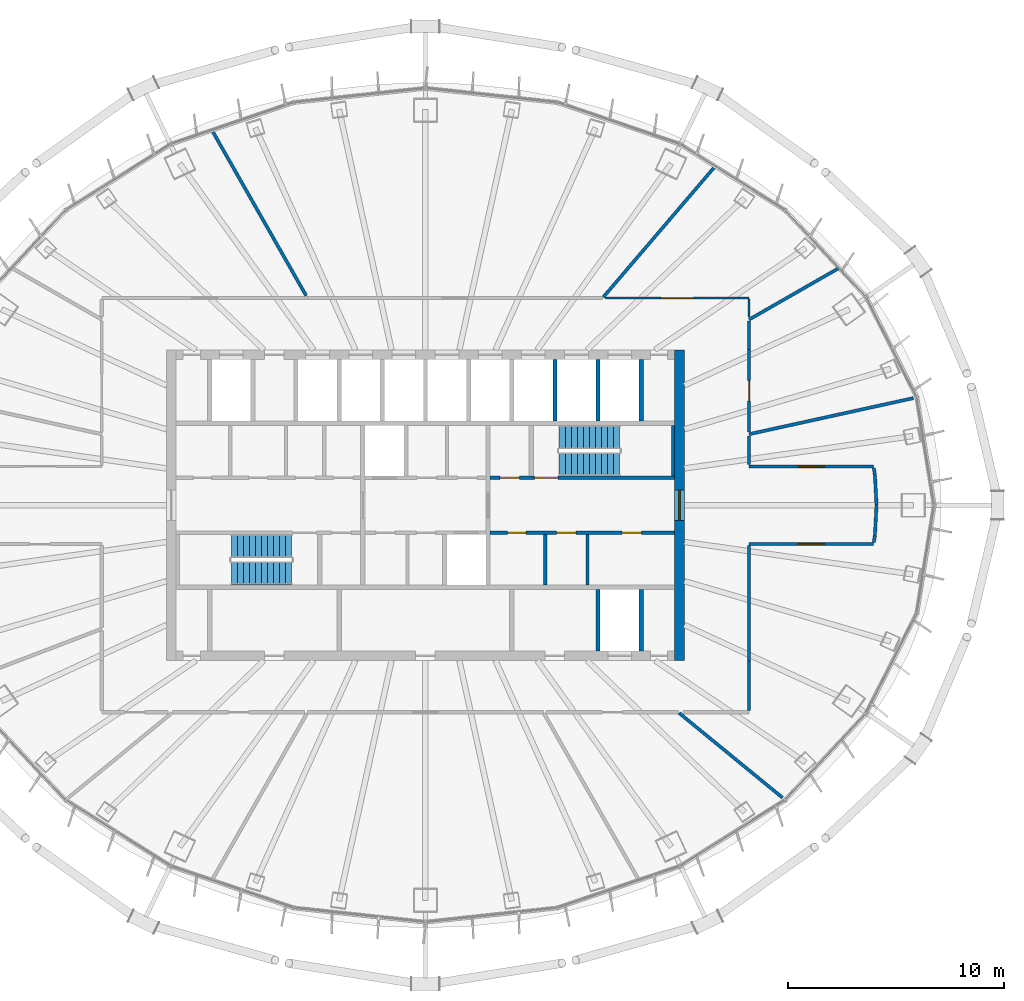
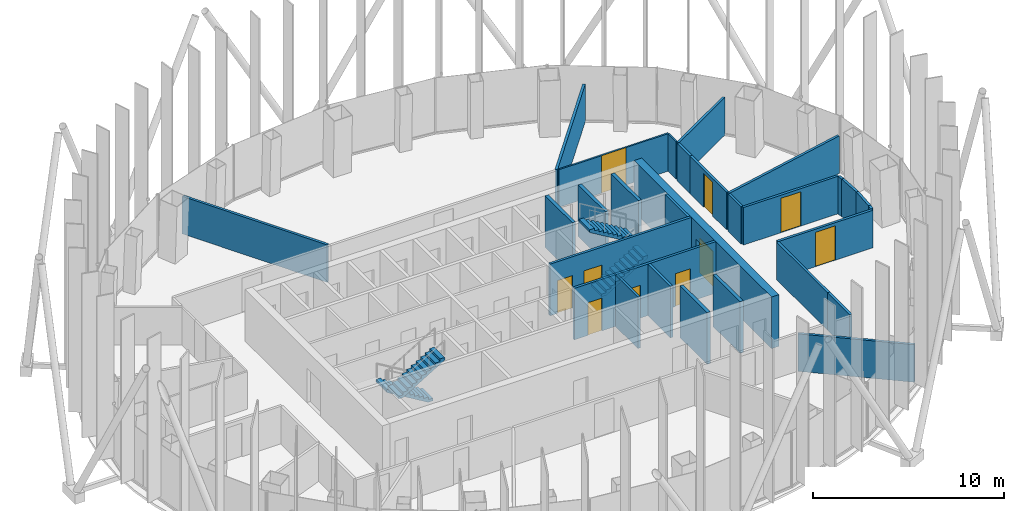
# One storey, part 11 of 19: 29 walls, 10 doors, 4 stair flights, 10 openings, 2 elements without a shape of their own.
"""IFC4 building model written with IfcOpenShell, lengths in metres."""

from ifc_helpers import new_model, si_unit, direction, frame, frame_2d, origin, place, context, subcontext, project, spatial, polyline, rectangle, outline, extrude, material, layer, layer_set, type_object, element, fill, aggregate, save


model = new_model("IFC4")

# Units and contexts
model_context = context("Model", 3, precision=1e-05, world=origin(), true_north=direction((0.0, 1.0)))
body_context = subcontext(model_context, "Body", "Model", "MODEL_VIEW")
ifc_project = project(units=[si_unit("LENGTHUNIT", "METRE"), si_unit("AREAUNIT", "SQUARE_METRE"), si_unit("VOLUMEUNIT", "CUBIC_METRE"), si_unit("PLANEANGLEUNIT", "RADIAN"), si_unit("MASSUNIT", "GRAM", prefix="KILO")], contexts=[model_context])

# Site, building, storey
site_placement = place(None, origin())
site = spatial("IfcSite", under=ifc_project, at=site_placement, CompositionType="ELEMENT")
building_placement = place(site_placement, origin())
building = spatial("IfcBuilding", under=site, at=building_placement, Name="Siaravel Broadcast Tower", CompositionType="ELEMENT")
storey_placement = place(building_placement, frame((0.0, 0.0, 168.199951171875)))
storey = spatial("IfcBuildingStorey", under=building, at=storey_placement, Name="L40", CompositionType="ELEMENT", Elevation=168.199951171875)

# Walls
ifc_material_1 = material(Name="Concrete blockwork", Category="masonry")
ifc_layer_1 = layer(ifc_material_1, 0.14990234375)
ifc_layer_set_1 = layer_set([ifc_layer_1], Name="Concrete blockwork")
wall_type_1 = type_object("IfcWallType", Name="Core partition 150", PredefinedType="PARTITIONING", material=ifc_layer_set_1)
for number, where, z_axis, x_axis, name in (
    (1, (5.550048828125, -3.699951171875, 0.0), (0.0, 0.0, 1.0), (0.0, 1.0, 0.0), "L40 core partition PSE0"),
    (2, (7.514892578125, -3.699951171875, 0.0), (0.0, 0.0, 1.0), (0.0, 1.0, 0.0), "L40 core partition PSE1"),
):
    element("IfcWall", number, at=place(storey_placement, frame(where, z_axis=z_axis, x_axis=x_axis)), inside=storey, type_object=wall_type_1, Name=name, PredefinedType="PARTITIONING", context=body_context, shape_type="SweptSolid", body=[
        extrude(rectangle(XDim=2.349853515625, YDim=0.14990234375, at=frame_2d((1.1748046875, 0.0))), origin(), (0.0, 0.0, 1.0), 3.300048828125),
    ])

# Wall, opening, door
ifc_material_2 = material(Name="Concrete C60/75", Category="concrete")
ifc_layer_2 = layer(ifc_material_2, 0.449951171875)
ifc_layer_set_2 = layer_set([ifc_layer_2], Name="Concrete C60/75")
wall_type_2 = type_object("IfcWallType", Name="Core wall 450", PredefinedType="SHEAR", material=ifc_layer_set_2)
wall_1_placement = place(storey_placement, frame((11.77490234375, -7.199951171875, 0.0), z_axis=(0.0, 0.0, 1.0), x_axis=(0.0, 1.0, 0.0)))
wall_1 = element("IfcWall", 3, at=wall_1_placement, inside=storey, type_object=wall_type_2, Name="L40 core wall OE", PredefinedType="SHEAR", context=body_context, shape_type="SweptSolid", body=[
    extrude(rectangle(XDim=14.39990234375, YDim=0.449951171875, at=frame_2d((7.199951171875, 0.0))), origin(), (0.0, 0.0, 1.0), 3.300048828125),
])
opening_1_placement = place(wall_1_placement, frame((6.5, 0.0, 0.0)))
opening_1 = element("IfcOpeningElement", 4, at=opening_1_placement, cuts=wall_1, Name="Opening L40-DX-E", PredefinedType="OPENING", context=body_context, shape_type="SweptSolid", body=[
    extrude(rectangle(XDim=1.39990234375, YDim=2.199951171875, at=frame_2d((0.699951171875, 1.10009765625))), frame((0.0, 0.23486328125, 0.0), z_axis=(0.0, -1.0, 0.0), x_axis=(1.0, 0.0, 0.0)), (0.0, 0.0, 1.0), 0.469970703125),
])
ifc_material_3 = material(Name="Steel", Category="steel")
door_type_1 = type_object("IfcDoorType", Name="Core exit door 1400", OperationType="DOUBLE_DOOR_SINGLE_SWING", PredefinedType="DOOR", material=ifc_material_3)
door_1_placement = place(opening_1_placement, origin())
door_1 = element("IfcDoor", 5, at=door_1_placement, inside=storey, type_object=door_type_1, Name="L40 door DX-E", OperationType="DOUBLE_DOOR_SINGLE_SWING", OverallHeight=2.199951171875, OverallWidth=1.39990234375, PredefinedType="DOOR", context=body_context, shape_type="SweptSolid", body=[
    extrude(rectangle(XDim=1.39990234375, YDim=2.199951171875, at=frame_2d((0.699951171875, 1.10009765625))), frame((0.0, 0.02490234375, 0.0), z_axis=(0.0, -1.0, 0.0), x_axis=(1.0, 0.0, 0.0)), (0.0, 0.0, 1.0), 0.050048828125),
])
fill(opening_1, door_1)

# Wall, openings, doors
ifc_material_4 = material(Name="Gypsum board partition", Category="gypsum")
ifc_layer_3 = layer(ifc_material_4, 0.14990234375)
ifc_layer_set_3 = layer_set([ifc_layer_3], Name="Gypsum board partition")
wall_type_3 = type_object("IfcWallType", Name="Corridor wall 150", PredefinedType="PARTITIONING", material=ifc_layer_set_3)
wall_2_placement = place(storey_placement, frame((3.0, -1.27490234375, 0.0), z_axis=(0.0, 0.0, 1.0), x_axis=(1.0, 0.0, 0.0)))
wall_2 = element("IfcWall", 6, at=wall_2_placement, inside=storey, type_object=wall_type_3, Name="L40 core partition CSE", PredefinedType="PARTITIONING", context=body_context, shape_type="SweptSolid", body=[
    extrude(rectangle(XDim=8.550048828125, YDim=0.14990234375, at=frame_2d((4.27490234375, 0.0))), origin(), (0.0, 0.0, 1.0), 3.300048828125),
])
opening_2_placement = place(wall_2_placement, frame((0.8125, 0.0, 0.0)))
opening_2 = element("IfcOpeningElement", 7, at=opening_2_placement, cuts=wall_2, Name="Opening L40-DSE0", PredefinedType="OPENING", context=body_context, shape_type="SweptSolid", body=[
    extrude(rectangle(XDim=0.85009765625, YDim=2.10009765625, at=frame_2d((0.425048828125, 1.050048828125))), frame((0.0, 0.0849609375, 0.0), z_axis=(0.0, -1.0, 0.0), x_axis=(1.0, 0.0, 0.0)), (0.0, 0.0, 1.0), 0.169921875),
])
opening_3_placement = place(wall_2_placement, frame((3.08251953125, 0.0, 0.0)))
opening_3 = element("IfcOpeningElement", 8, at=opening_3_placement, cuts=wall_2, Name="Opening L40-DSE1", PredefinedType="OPENING", context=body_context, shape_type="SweptSolid", body=[
    extrude(rectangle(XDim=0.89990234375, YDim=2.10009765625, at=frame_2d((0.449951171875, 1.050048828125))), frame((0.0, 0.0849609375, 0.0), z_axis=(0.0, -1.0, 0.0), x_axis=(1.0, 0.0, 0.0)), (0.0, 0.0, 1.0), 0.169921875),
])
opening_4_placement = place(wall_2_placement, frame((6.1201171875, 0.0, 0.0)))
opening_4 = element("IfcOpeningElement", 9, at=opening_4_placement, cuts=wall_2, Name="Opening L40-DSE2", PredefinedType="OPENING", context=body_context, shape_type="SweptSolid", body=[
    extrude(rectangle(XDim=0.89990234375, YDim=2.10009765625, at=frame_2d((0.449951171875, 1.050048828125))), frame((0.0, 0.0849609375, 0.0), z_axis=(0.0, -1.0, 0.0), x_axis=(1.0, 0.0, 0.0)), (0.0, 0.0, 1.0), 0.169921875),
])
ifc_material_5 = material(Name="Timber veneer", Category="wood")
door_type_2 = type_object("IfcDoorType", Name="Core room door 900", OperationType="SINGLE_SWING_LEFT", PredefinedType="DOOR", material=ifc_material_5)
door_2_placement = place(opening_3_placement, origin())
door_2 = element("IfcDoor", 10, at=door_2_placement, inside=storey, type_object=door_type_2, Name="L40 door DSE1", OperationType="SINGLE_SWING_LEFT", OverallHeight=2.10009765625, OverallWidth=0.89990234375, PredefinedType="DOOR", context=body_context, shape_type="SweptSolid", body=[
    extrude(rectangle(XDim=0.89990234375, YDim=2.10009765625, at=frame_2d((0.449951171875, 1.050048828125))), frame((0.0, 0.02490234375, 0.0), z_axis=(0.0, -1.0, 0.0), x_axis=(1.0, 0.0, 0.0)), (0.0, 0.0, 1.0), 0.050048828125),
])
fill(opening_3, door_2)
door_3_placement = place(opening_4_placement, origin())
door_3 = element("IfcDoor", 11, at=door_3_placement, inside=storey, type_object=door_type_2, Name="L40 door DSE2", OperationType="SINGLE_SWING_LEFT", OverallHeight=2.10009765625, OverallWidth=0.89990234375, PredefinedType="DOOR", context=body_context, shape_type="SweptSolid", body=[
    extrude(rectangle(XDim=0.89990234375, YDim=2.10009765625, at=frame_2d((0.449951171875, 1.050048828125))), frame((0.0, 0.02490234375, 0.0), z_axis=(0.0, -1.0, 0.0), x_axis=(1.0, 0.0, 0.0)), (0.0, 0.0, 1.0), 0.050048828125),
])
fill(opening_4, door_3)
door_type_3 = type_object("IfcDoorType", Name="Core toilet door 850", OperationType="SINGLE_SWING_LEFT", PredefinedType="DOOR", material=ifc_material_5)
door_4_placement = place(opening_2_placement, origin())
door_4 = element("IfcDoor", 12, at=door_4_placement, inside=storey, type_object=door_type_3, Name="L40 door DSE0", OperationType="SINGLE_SWING_LEFT", OverallHeight=2.10009765625, OverallWidth=0.85009765625, PredefinedType="DOOR", context=body_context, shape_type="SweptSolid", body=[
    extrude(rectangle(XDim=0.85009765625, YDim=2.10009765625, at=frame_2d((0.425048828125, 1.050048828125))), frame((0.0, 0.02490234375, 0.0), z_axis=(0.0, -1.0, 0.0), x_axis=(1.0, 0.0, 0.0)), (0.0, 0.0, 1.0), 0.050048828125),
])
fill(opening_2, door_4)

# Wall, opening, door
wall_3_placement = place(storey_placement, frame((15.0, -1.800048828125, 0.0), z_axis=(0.0, 0.0, 1.0), x_axis=(1.0, 0.0, 0.0)))
wall_3 = element("IfcWall", 13, at=wall_3_placement, inside=storey, type_object=wall_type_3, Name="L40 partition 18", PredefinedType="PARTITIONING", context=body_context, shape_type="SweptSolid", body=[
    extrude(rectangle(XDim=5.766357421875, YDim=0.14990234375, at=frame_2d((2.88330078125, 0.0))), origin(), (0.0, 0.0, 1.0), 2.400146484375),
])
opening_5_placement = place(wall_3_placement, frame((2.283203125, 0.0, 0.0)))
opening_5 = element("IfcOpeningElement", 14, at=opening_5_placement, cuts=wall_3, Name="Opening L40-004", PredefinedType="OPENING", context=body_context, shape_type="SweptSolid", body=[
    extrude(rectangle(XDim=1.199951171875, YDim=2.199951171875, at=frame_2d((0.60009765625, 1.10009765625))), frame((0.0, 0.0849609375, 0.0), z_axis=(0.0, -1.0, 0.0), x_axis=(1.0, 0.0, 0.0)), (0.0, 0.0, 1.0), 0.169921875),
])
door_type_4 = type_object("IfcDoorType", Name="Office double door 1200", OperationType="DOUBLE_DOOR_SINGLE_SWING", PredefinedType="DOOR", material=ifc_material_5)
door_5_placement = place(opening_5_placement, origin())
door_5 = element("IfcDoor", 15, at=door_5_placement, inside=storey, type_object=door_type_4, Name="L40 door to Open plan office", OperationType="DOUBLE_DOOR_SINGLE_SWING", OverallHeight=2.199951171875, OverallWidth=1.199951171875, PredefinedType="DOOR", context=body_context, shape_type="SweptSolid", body=[
    extrude(rectangle(XDim=1.199951171875, YDim=2.199951171875, at=frame_2d((0.60009765625, 1.10009765625))), frame((0.0, 0.02490234375, 0.0), z_axis=(0.0, -1.0, 0.0), x_axis=(1.0, 0.0, 0.0)), (0.0, 0.0, 1.0), 0.050048828125),
])
fill(opening_5, door_5)

wall_4_placement = place(storey_placement, frame((20.766357421875, 1.800048828125, 0.0), z_axis=(0.0, 0.0, 1.0), x_axis=(-1.0, 0.0, 0.0)))
wall_4 = element("IfcWall", 16, at=wall_4_placement, inside=storey, type_object=wall_type_3, Name="L40 partition 19", PredefinedType="PARTITIONING", context=body_context, shape_type="SweptSolid", body=[
    extrude(rectangle(XDim=5.766357421875, YDim=0.14990234375, at=frame_2d((2.88330078125, 0.0))), origin(), (0.0, 0.0, 1.0), 2.400146484375),
])
opening_6_placement = place(wall_4_placement, frame((2.283203125, 0.0, 0.0)))
opening_6 = element("IfcOpeningElement", 17, at=opening_6_placement, cuts=wall_4, Name="Opening L40-005", PredefinedType="OPENING", context=body_context, shape_type="SweptSolid", body=[
    extrude(rectangle(XDim=1.199951171875, YDim=2.199951171875, at=frame_2d((0.60009765625, 1.10009765625))), frame((0.0, 0.0849609375, 0.0), z_axis=(0.0, -1.0, 0.0), x_axis=(1.0, 0.0, 0.0)), (0.0, 0.0, 1.0), 0.169921875),
])
door_6_placement = place(opening_6_placement, origin())
door_6 = element("IfcDoor", 18, at=door_6_placement, inside=storey, type_object=door_type_4, Name="L40 door to Open plan office", OperationType="DOUBLE_DOOR_SINGLE_SWING", OverallHeight=2.199951171875, OverallWidth=1.199951171875, PredefinedType="DOOR", context=body_context, shape_type="SweptSolid", body=[
    extrude(rectangle(XDim=1.199951171875, YDim=2.199951171875, at=frame_2d((0.60009765625, 1.10009765625))), frame((0.0, 0.02490234375, 0.0), z_axis=(0.0, -1.0, 0.0), x_axis=(1.0, 0.0, 0.0)), (0.0, 0.0, 1.0), 0.050048828125),
])
fill(opening_6, door_6)

# Wall
wall_5_placement = place(storey_placement, frame((15.0, -7.2119140625, 0.0), z_axis=(0.0, 0.0, 1.0), x_axis=(0.0, 1.0, 0.0)))
element("IfcWall", 19, at=wall_5_placement, inside=storey, type_object=wall_type_3, Name="L40 partition 20", PredefinedType="PARTITIONING", context=body_context, shape_type="SweptSolid", body=[
    extrude(rectangle(XDim=5.3349609375, YDim=0.14990234375, at=frame_2d((2.66748046875, 0.0))), origin(), (0.0, 0.0, 1.0), 2.400146484375),
])

# Wall, opening, door
wall_6_placement = place(storey_placement, frame((15.0, 3.387451171875, 0.0), z_axis=(0.0, 0.0, 1.0), x_axis=(0.0, 1.0, 0.0)))
wall_6 = element("IfcWall", 20, at=wall_6_placement, inside=storey, type_object=wall_type_3, Name="L40 partition 25", PredefinedType="PARTITIONING", context=body_context, shape_type="SweptSolid", body=[
    extrude(rectangle(XDim=3.824462890625, YDim=0.14990234375, at=frame_2d((1.912109375, 0.0))), origin(), (0.0, 0.0, 1.0), 2.400146484375),
])
opening_7_placement = place(wall_6_placement, frame((1.437255859375, 0.0, 0.0)))
opening_7 = element("IfcOpeningElement", 21, at=opening_7_placement, cuts=wall_6, Name="Opening L40-006", PredefinedType="OPENING", context=body_context, shape_type="SweptSolid", body=[
    extrude(rectangle(XDim=0.949951171875, YDim=2.14990234375, at=frame_2d((0.47509765625, 1.074951171875))), frame((0.0, 0.0849609375, 0.0), z_axis=(0.0, -1.0, 0.0), x_axis=(1.0, 0.0, 0.0)), (0.0, 0.0, 1.0), 0.169921875),
])
door_type_5 = type_object("IfcDoorType", Name="Office door 950", OperationType="SINGLE_SWING_LEFT", PredefinedType="DOOR", material=ifc_material_5)
door_7_placement = place(opening_7_placement, origin())
door_7 = element("IfcDoor", 22, at=door_7_placement, inside=storey, type_object=door_type_5, Name="L40 door to Office", OperationType="SINGLE_SWING_RIGHT", OverallHeight=2.14990234375, OverallWidth=0.949951171875, PredefinedType="DOOR", context=body_context, shape_type="SweptSolid", body=[
    extrude(rectangle(XDim=0.949951171875, YDim=2.14990234375, at=frame_2d((0.47509765625, 1.074951171875))), frame((0.0, 0.02490234375, 0.0), z_axis=(0.0, -1.0, 0.0), x_axis=(1.0, 0.0, 0.0)), (0.0, 0.0, 1.0), 0.050048828125),
])
fill(opening_7, door_7)

# Walls
wall_7_placement = place(storey_placement, frame((15.0, -9.52294921875, 0.0), z_axis=(0.0, 0.0, 1.0), x_axis=(0.0, 1.0, 0.0)))
element("IfcWall", 23, at=wall_7_placement, inside=storey, type_object=wall_type_3, Name="L40 partition 30", PredefinedType="PARTITIONING", context=body_context, shape_type="SweptSolid", body=[
    extrude(rectangle(XDim=2.31005859375, YDim=0.14990234375, at=frame_2d((1.155029296875, 0.0))), origin(), (0.0, 0.0, 1.0), 2.400146484375),
])
wall_8_placement = place(storey_placement, frame((15.0, 1.876953125, 0.0), z_axis=(0.0, 0.0, 1.0), x_axis=(0.0, 1.0, 0.0)))
element("IfcWall", 24, at=wall_8_placement, inside=storey, type_object=wall_type_3, Name="L40 partition 33", PredefinedType="PARTITIONING", context=body_context, shape_type="SweptSolid", body=[
    extrude(rectangle(XDim=1.33984375, YDim=0.14990234375, at=frame_2d((0.669921875, 0.0))), origin(), (0.0, 0.0, 1.0), 2.400146484375),
])
wall_9_placement = place(storey_placement, frame((15.0, 7.212890625, 0.0), z_axis=(0.0, 0.0, 1.0), x_axis=(0.0, 1.0, 0.0)))
element("IfcWall", 25, at=wall_9_placement, inside=storey, type_object=wall_type_3, Name="L40 partition 36", PredefinedType="PARTITIONING", context=body_context, shape_type="SweptSolid", body=[
    extrude(rectangle(XDim=1.3232421875, YDim=0.14990234375, at=frame_2d((0.66162109375, 0.0))), origin(), (0.0, 0.0, 1.0), 2.400146484375),
])
wall_10_placement = place(storey_placement, frame((20.830322265625, -1.4013671875, 0.0), z_axis=(0.0, 0.0, 1.0), x_axis=(0.053234513, 0.998582038, 0.0)))
element("IfcWall", 26, at=wall_10_placement, inside=storey, type_object=wall_type_3, Name="L40 partition 38", PredefinedType="PARTITIONING", context=body_context, shape_type="SweptSolid", body=[
    extrude(rectangle(XDim=1.4033203125, YDim=0.14990234375, at=frame_2d((0.70166015625, 0.0))), origin(), (0.0, 0.0, 1.0), 2.400146484375),
])
wall_11_placement = place(storey_placement, frame((20.904541015625, 0.010009765625, 0.0), z_axis=(0.0, 0.0, 1.0), x_axis=(-0.053266961, 0.998580308, 0.0)))
element("IfcWall", 27, at=wall_11_placement, inside=storey, type_object=wall_type_3, Name="L40 partition 39", PredefinedType="PARTITIONING", context=body_context, shape_type="SweptSolid", body=[
    extrude(rectangle(XDim=1.393310546875, YDim=0.14990234375, at=frame_2d((0.69677734375, 0.0))), origin(), (0.0, 0.0, 1.0), 2.400146484375),
])
for number, where, z_axis, x_axis, name in (
    (28, (20.7783203125, -1.724853515625, 0.0), (0.0, 0.0, 1.0), (0.159039191, 0.98727227, 0.0), "L40 partition 43"),
    (29, (20.828857421875, 1.4111328125, 0.0), (0.0, 0.0, 1.0), (-0.159039191, 0.98727227, 0.0), "L40 partition 44"),
):
    element("IfcWall", number, at=place(storey_placement, frame(where, z_axis=z_axis, x_axis=x_axis)), inside=storey, type_object=wall_type_3, Name=name, PredefinedType="PARTITIONING", context=body_context, shape_type="SweptSolid", body=[
        extrude(rectangle(XDim=0.31787109375, YDim=0.14990234375, at=frame_2d((0.158935546875, 0.0))), origin(), (0.0, 0.0, 1.0), 2.400146484375),
    ])

# Wall, opening, door
ifc_material_6 = material(Name="Glazed aluminium partition", Category="aluminium")
ifc_layer_4 = layer(ifc_material_6, 0.10009765625)
ifc_layer_set_4 = layer_set([ifc_layer_4], Name="Glazed aluminium partition")
wall_type_4 = type_object("IfcWallType", Name="Glazed meeting room partition 100", PredefinedType="PARTITIONING", material=ifc_layer_set_4)
wall_12_placement = place(storey_placement, frame((15.0, 9.60009765625, 0.0), z_axis=(0.0, 0.0, 1.0), x_axis=(-1.0, 0.0, 0.0)))
wall_12 = element("IfcWall", 30, at=wall_12_placement, inside=storey, type_object=wall_type_4, Name="L40 partition 10", PredefinedType="PARTITIONING", context=body_context, shape_type="SweptSolid", body=[
    extrude(rectangle(XDim=6.650146484375, YDim=0.10009765625, at=frame_2d((3.3251953125, 0.0))), origin(), (0.0, 0.0, 1.0), 2.400146484375),
])
opening_8_placement = place(wall_12_placement, frame((2.5751953125, 0.0, 0.0)))
opening_8 = element("IfcOpeningElement", 31, at=opening_8_placement, cuts=wall_12, Name="Opening L40-007", PredefinedType="OPENING", context=body_context, shape_type="SweptSolid", body=[
    extrude(rectangle(XDim=1.5, YDim=2.39990234375, at=frame_2d((0.75, 1.199951171875))), frame((0.0, 0.06005859375, 0.0), z_axis=(0.0, -1.0, 0.0), x_axis=(1.0, 0.0, 0.0)), (0.0, 0.0, 1.0), 0.1201171875),
])
door_type_6 = type_object("IfcDoorType", Name="Conference double door 1500", OperationType="DOUBLE_DOOR_SINGLE_SWING", PredefinedType="DOOR", material=ifc_material_5)
door_8_placement = place(opening_8_placement, origin())
door_8 = element("IfcDoor", 32, at=door_8_placement, inside=storey, type_object=door_type_6, Name="L40 door to Boardroom", OperationType="DOUBLE_DOOR_SINGLE_SWING", OverallHeight=2.39990234375, OverallWidth=1.5, PredefinedType="DOOR", context=body_context, shape_type="SweptSolid", body=[
    extrude(rectangle(XDim=1.5, YDim=2.39990234375, at=frame_2d((0.75, 1.199951171875))), frame((0.0, 0.02490234375, 0.0), z_axis=(0.0, -1.0, 0.0), x_axis=(1.0, 0.0, 0.0)), (0.0, 0.0, 1.0), 0.050048828125),
])
fill(opening_8, door_8)

# Walls
wall_13_placement = place(storey_placement, frame((15.0, 8.72021484375, 0.0), z_axis=(0.0, 0.0, 1.0), x_axis=(0.0, 1.0, 0.0)))
element("IfcWall", 33, at=wall_13_placement, inside=storey, type_object=wall_type_4, Name="L40 partition 41", PredefinedType="PARTITIONING", context=body_context, shape_type="SweptSolid", body=[
    extrude(rectangle(XDim=0.827880859375, YDim=0.10009765625, at=frame_2d((0.4140625, 0.0))), origin(), (0.0, 0.0, 1.0), 2.400146484375),
])
ifc_layer_5 = layer(ifc_material_4, 0.14990234375)
ifc_layer_set_5 = layer_set([ifc_layer_5], Name="Gypsum board partition")
wall_type_5 = type_object("IfcWallType", Name="Room partition 150", PredefinedType="PARTITIONING", material=ifc_layer_set_5)
wall_14_placement = place(storey_placement, frame((-9.884033203125, 17.362060546875, 0.0), z_axis=(0.0, 0.0, 1.0), x_axis=(0.494734165, -0.869044364, 0.0)))
element("IfcWall", 34, at=wall_14_placement, inside=storey, type_object=wall_type_5, Name="L40 partition 4", PredefinedType="PARTITIONING", context=body_context, shape_type="SweptSolid", body=[
    extrude(rectangle(XDim=8.80078125, YDim=0.14990234375, at=frame_2d((4.400390625, 0.0))), origin(), (0.0, 0.0, 1.0), 2.400146484375),
])
wall_15_placement = place(storey_placement, frame((13.41552734375, 15.693603515625, 0.0), z_axis=(0.0, 0.0, 1.0), x_axis=(-0.649787725, -0.760115723, 0.0)))
element("IfcWall", 35, at=wall_15_placement, inside=storey, type_object=wall_type_5, Name="L40 partition 7", PredefinedType="PARTITIONING", context=body_context, shape_type="SweptSolid", body=[
    extrude(rectangle(XDim=7.95751953125, YDim=0.14990234375, at=frame_2d((3.978759765625, 0.0))), origin(), (0.0, 0.0, 1.0), 2.400146484375),
])
wall_16_placement = place(storey_placement, frame((22.6083984375, 4.962158203125, 0.0), z_axis=(0.0, 0.0, 1.0), x_axis=(-0.976750106, -0.21438104, 0.0)))
element("IfcWall", 36, at=wall_16_placement, inside=storey, type_object=wall_type_5, Name="L40 partition 9", PredefinedType="PARTITIONING", context=body_context, shape_type="SweptSolid", body=[
    extrude(rectangle(XDim=7.78955078125, YDim=0.14990234375, at=frame_2d((3.894775390625, 0.0))), origin(), (0.0, 0.0, 1.0), 2.400146484375),
])
wall_17_placement = place(storey_placement, frame((16.54345703125, -13.55078125, 0.0), z_axis=(0.0, 0.0, 1.0), x_axis=(-0.773616024, 0.633654676, 0.0)))
element("IfcWall", 37, at=wall_17_placement, inside=storey, type_object=wall_type_5, Name="L40 partition 15", PredefinedType="PARTITIONING", context=body_context, shape_type="SweptSolid", body=[
    extrude(rectangle(XDim=6.185546875, YDim=0.14990234375, at=frame_2d((3.0927734375, 0.0))), origin(), (0.0, 0.0, 1.0), 2.400146484375),
])
wall_18_placement = place(storey_placement, frame((19.166748046875, 10.992919921875, 0.0), z_axis=(0.0, 0.0, 1.0), x_axis=(-0.867466381, -0.497495807, 0.0)))
element("IfcWall", 38, at=wall_18_placement, inside=storey, type_object=wall_type_5, Name="L40 partition 22", PredefinedType="PARTITIONING", context=body_context, shape_type="SweptSolid", body=[
    extrude(rectangle(XDim=4.803466796875, YDim=0.14990234375, at=frame_2d((2.40185546875, 0.0))), origin(), (0.0, 0.0, 1.0), 2.400146484375),
])

# Wall, openings, doors
ifc_layer_6 = layer(ifc_material_2, 0.14990234375)
ifc_layer_set_6 = layer_set([ifc_layer_6], Name="Concrete C60/75")
wall_type_6 = type_object("IfcWallType", Name="Shaft wall 150", PredefinedType="SHEAR", material=ifc_layer_set_6)
wall_19_placement = place(storey_placement, frame((3.0, 1.27490234375, 0.0), z_axis=(0.0, 0.0, 1.0), x_axis=(1.0, 0.0, 0.0)))
wall_19 = element("IfcWall", 39, at=wall_19_placement, inside=storey, type_object=wall_type_6, Name="L40 core wall CNE", PredefinedType="SHEAR", context=body_context, shape_type="SweptSolid", body=[
    extrude(rectangle(XDim=8.550048828125, YDim=0.14990234375, at=frame_2d((4.27490234375, 0.0))), origin(), (0.0, 0.0, 1.0), 3.300048828125),
])
opening_9_placement = place(wall_19_placement, frame((2.050048828125, 0.0, 0.0)))
opening_9 = element("IfcOpeningElement", 40, at=opening_9_placement, cuts=wall_19, Name="Opening L40-DS-2", PredefinedType="OPENING", context=body_context, shape_type="SweptSolid", body=[
    extrude(rectangle(XDim=1.10009765625, YDim=2.14990234375, at=frame_2d((0.550048828125, 1.074951171875))), frame((0.0, 0.0849609375, 0.0), z_axis=(0.0, -1.0, 0.0), x_axis=(1.0, 0.0, 0.0)), (0.0, 0.0, 1.0), 0.169921875),
])
opening_10_placement = place(wall_19_placement, frame((0.449951171875, 0.0, 0.0)))
opening_10 = element("IfcOpeningElement", 41, at=opening_10_placement, cuts=wall_19, Name="Opening L40-DNE0", PredefinedType="OPENING", context=body_context, shape_type="SweptSolid", body=[
    extrude(rectangle(XDim=0.89990234375, YDim=2.10009765625, at=frame_2d((0.449951171875, 1.050048828125))), frame((0.0, 0.0849609375, 0.0), z_axis=(0.0, -1.0, 0.0), x_axis=(1.0, 0.0, 0.0)), (0.0, 0.0, 1.0), 0.169921875),
])
door_9_placement = place(opening_10_placement, origin())
door_9 = element("IfcDoor", 42, at=door_9_placement, inside=storey, type_object=door_type_2, Name="L40 door DNE0", OperationType="SINGLE_SWING_LEFT", OverallHeight=2.10009765625, OverallWidth=0.89990234375, PredefinedType="DOOR", context=body_context, shape_type="SweptSolid", body=[
    extrude(rectangle(XDim=0.89990234375, YDim=2.10009765625, at=frame_2d((0.449951171875, 1.050048828125))), frame((0.0, 0.02490234375, 0.0), z_axis=(0.0, -1.0, 0.0), x_axis=(1.0, 0.0, 0.0)), (0.0, 0.0, 1.0), 0.050048828125),
])
fill(opening_10, door_9)
door_type_7 = type_object("IfcDoorType", Name="Stair door 1100", OperationType="SINGLE_SWING_LEFT", PredefinedType="DOOR", material=ifc_material_3)
door_10_placement = place(opening_9_placement, origin())
door_10 = element("IfcDoor", 43, at=door_10_placement, inside=storey, type_object=door_type_7, Name="L40 door DS-2", OperationType="SINGLE_SWING_LEFT", OverallHeight=2.14990234375, OverallWidth=1.10009765625, PredefinedType="DOOR", context=body_context, shape_type="SweptSolid", body=[
    extrude(rectangle(XDim=1.10009765625, YDim=2.14990234375, at=frame_2d((0.550048828125, 1.074951171875))), frame((0.0, 0.02490234375, 0.0), z_axis=(0.0, -1.0, 0.0), x_axis=(1.0, 0.0, 0.0)), (0.0, 0.0, 1.0), 0.050048828125),
])
fill(opening_9, door_10)

# Walls
wall_20_placement = place(storey_placement, frame((11.47509765625, 1.35009765625, 0.0), z_axis=(0.0, 0.0, 1.0), x_axis=(0.0, 1.0, 0.0)))
element("IfcWall", 44, at=wall_20_placement, inside=storey, type_object=wall_type_6, Name="L40 core wall ST2E", PredefinedType="SHEAR", context=body_context, shape_type="SweptSolid", body=[
    extrude(rectangle(XDim=2.349853515625, YDim=0.14990234375, at=frame_2d((1.1748046875, 0.0))), origin(), (0.0, 0.0, 1.0), 3.300048828125),
])
ifc_layer_7 = layer(ifc_material_2, 0.199951171875)
ifc_layer_set_7 = layer_set([ifc_layer_7], Name="Concrete C60/75")
wall_type_7 = type_object("IfcWallType", Name="Shaft wall 200", PredefinedType="SHEAR", material=ifc_layer_set_7)
for number, where, z_axis, x_axis, name in (
    (45, (8.0, -6.75, 0.0), (0.0, 0.0, 1.0), (0.0, 1.0, 0.0), "L40 core wall SWS9"),
    (46, (10.0, -6.75, 0.0), (0.0, 0.0, 1.0), (0.0, 1.0, 0.0), "L40 core wall SWS10"),
    (47, (6.0, 3.89990234375, 0.0), (0.0, 0.0, 1.0), (0.0, 1.0, 0.0), "L40 core wall SWN8"),
    (48, (8.0, 3.89990234375, 0.0), (0.0, 0.0, 1.0), (0.0, 1.0, 0.0), "L40 core wall SWN9"),
    (49, (10.0, 3.89990234375, 0.0), (0.0, 0.0, 1.0), (0.0, 1.0, 0.0), "L40 core wall SWN10"),
):
    element("IfcWall", number, at=place(storey_placement, frame(where, z_axis=z_axis, x_axis=x_axis)), inside=storey, type_object=wall_type_7, Name=name, PredefinedType="SHEAR", context=body_context, shape_type="SweptSolid", body=[
        extrude(rectangle(XDim=2.85009765625, YDim=0.199951171875, at=frame_2d((1.425048828125, 0.0))), origin(), (0.0, 0.0, 1.0), 3.300048828125),
    ])

# Stair, stair flights
ifc_material_7 = material(Name="Concrete C40/50", Category="concrete")
stair_type = type_object("IfcStairType", Name="Core exit stair", PredefinedType="HALF_TURN_STAIR", material=ifc_material_7)
stair_1_placement = place(storey_placement, origin())
stair_1 = element("IfcStair", 50, at=stair_1_placement, inside=storey, type_object=stair_type, Name="L40 Exit stair ST-1", PredefinedType="HALF_TURN_STAIR")
stair_flight_type = type_object("IfcStairFlightType", Name="Stair flight 1100", PredefinedType="STRAIGHT", material=ifc_material_7)
stair_flight_1_placement = place(storey_placement, frame((-6.199951171875, -1.89990234375, 0.0), z_axis=(0.0, 0.0, 1.0), x_axis=(-1.0, 0.0, 0.0)))
stair_flight_1 = element("IfcStairFlight", 51, at=stair_flight_1_placement, type_object=stair_flight_type, Name="ST-1 flight 1", NumberOfRisers=11, NumberOfTreads=10, PredefinedType="STRAIGHT", RiserHeight=0.1681818, TreadLength=0.28, context=body_context, shape_type="SweptSolid", body=[
    extrude(outline(polyline([(0.0, 0.0), (0.0, 0.168212890625), (0.280029296875, 0.168212890625), (0.280029296875, 0.33642578125), (0.56005859375, 0.33642578125), (0.56005859375, 0.504638671875), (0.840087890625, 0.504638671875), (0.840087890625, 0.672607421875), (1.1201171875, 0.672607421875), (1.1201171875, 0.8408203125), (1.39990234375, 0.8408203125), (1.39990234375, 1.009033203125), (1.679931640625, 1.009033203125), (1.679931640625, 1.17724609375), (1.9599609375, 1.17724609375), (1.9599609375, 1.345458984375), (2.239990234375, 1.345458984375), (2.239990234375, 1.513671875), (2.52001953125, 1.513671875), (2.52001953125, 1.681884765625), (2.800048828125, 1.681884765625), (2.800048828125, 1.85009765625), (2.800048828125, 1.5068359375), (0.291015625, 0.0), (0.0, 0.0)])), frame((0.0, 0.550048828125, 0.0), z_axis=(0.0, -1.0, 0.0), x_axis=(1.0, 0.0, 0.0)), (0.0, 0.0, 1.0), 1.10009765625),
])
stair_flight_2_placement = place(storey_placement, frame((-9.0, -3.14990234375, 1.85009765625), z_axis=(0.0, 0.0, 1.0), x_axis=(1.0, 0.0, 0.0)))
stair_flight_2 = element("IfcStairFlight", 52, at=stair_flight_2_placement, type_object=stair_flight_type, Name="ST-1 flight 2", NumberOfRisers=11, NumberOfTreads=10, PredefinedType="STRAIGHT", RiserHeight=0.1681818, TreadLength=0.28, context=body_context, shape_type="SweptSolid", body=[
    extrude(outline(polyline([(0.0, 0.0), (0.0, 0.168212890625), (0.280029296875, 0.168212890625), (0.280029296875, 0.33642578125), (0.56005859375, 0.33642578125), (0.56005859375, 0.504638671875), (0.840087890625, 0.504638671875), (0.840087890625, 0.672607421875), (1.1201171875, 0.672607421875), (1.1201171875, 0.8408203125), (1.39990234375, 0.8408203125), (1.39990234375, 1.009033203125), (1.679931640625, 1.009033203125), (1.679931640625, 1.17724609375), (1.9599609375, 1.17724609375), (1.9599609375, 1.345458984375), (2.239990234375, 1.345458984375), (2.239990234375, 1.513671875), (2.52001953125, 1.513671875), (2.52001953125, 1.681884765625), (2.800048828125, 1.681884765625), (2.800048828125, 1.85009765625), (2.800048828125, 1.5068359375), (0.291015625, 0.0), (0.0, 0.0)])), frame((0.0, 0.550048828125, 0.0), z_axis=(0.0, -1.0, 0.0), x_axis=(1.0, 0.0, 0.0)), (0.0, 0.0, 1.0), 1.10009765625),
])
aggregate(stair_1, [stair_flight_1, stair_flight_2])

stair_2_placement = place(storey_placement, origin())
stair_2 = element("IfcStair", 53, at=stair_2_placement, inside=storey, type_object=stair_type, Name="L40 Exit stair ST-2", PredefinedType="HALF_TURN_STAIR")
stair_flight_3_placement = place(storey_placement, frame((6.199951171875, 1.89990234375, 0.0), z_axis=(0.0, 0.0, 1.0), x_axis=(1.0, 0.0, 0.0)))
stair_flight_3 = element("IfcStairFlight", 54, at=stair_flight_3_placement, type_object=stair_flight_type, Name="ST-2 flight 1", NumberOfRisers=11, NumberOfTreads=10, PredefinedType="STRAIGHT", RiserHeight=0.1681818, TreadLength=0.28, context=body_context, shape_type="SweptSolid", body=[
    extrude(outline(polyline([(0.0, 0.0), (0.0, 0.168212890625), (0.280029296875, 0.168212890625), (0.280029296875, 0.33642578125), (0.56005859375, 0.33642578125), (0.56005859375, 0.504638671875), (0.840087890625, 0.504638671875), (0.840087890625, 0.672607421875), (1.1201171875, 0.672607421875), (1.1201171875, 0.8408203125), (1.39990234375, 0.8408203125), (1.39990234375, 1.009033203125), (1.679931640625, 1.009033203125), (1.679931640625, 1.17724609375), (1.9599609375, 1.17724609375), (1.9599609375, 1.345458984375), (2.239990234375, 1.345458984375), (2.239990234375, 1.513671875), (2.52001953125, 1.513671875), (2.52001953125, 1.681884765625), (2.800048828125, 1.681884765625), (2.800048828125, 1.85009765625), (2.800048828125, 1.5068359375), (0.291015625, 0.0), (0.0, 0.0)])), frame((0.0, 0.550048828125, 0.0), z_axis=(0.0, -1.0, 0.0), x_axis=(1.0, 0.0, 0.0)), (0.0, 0.0, 1.0), 1.10009765625),
])
stair_flight_4_placement = place(storey_placement, frame((9.0, 3.14990234375, 1.85009765625), z_axis=(0.0, 0.0, 1.0), x_axis=(-1.0, 0.0, 0.0)))
stair_flight_4 = element("IfcStairFlight", 55, at=stair_flight_4_placement, type_object=stair_flight_type, Name="ST-2 flight 2", NumberOfRisers=11, NumberOfTreads=10, PredefinedType="STRAIGHT", RiserHeight=0.1681818, TreadLength=0.28, context=body_context, shape_type="SweptSolid", body=[
    extrude(outline(polyline([(0.0, 0.0), (0.0, 0.168212890625), (0.280029296875, 0.168212890625), (0.280029296875, 0.33642578125), (0.56005859375, 0.33642578125), (0.56005859375, 0.504638671875), (0.840087890625, 0.504638671875), (0.840087890625, 0.672607421875), (1.1201171875, 0.672607421875), (1.1201171875, 0.8408203125), (1.39990234375, 0.8408203125), (1.39990234375, 1.009033203125), (1.679931640625, 1.009033203125), (1.679931640625, 1.17724609375), (1.9599609375, 1.17724609375), (1.9599609375, 1.345458984375), (2.239990234375, 1.345458984375), (2.239990234375, 1.513671875), (2.52001953125, 1.513671875), (2.52001953125, 1.681884765625), (2.800048828125, 1.681884765625), (2.800048828125, 1.85009765625), (2.800048828125, 1.5068359375), (0.291015625, 0.0), (0.0, 0.0)])), frame((0.0, 0.550048828125, 0.0), z_axis=(0.0, -1.0, 0.0), x_axis=(1.0, 0.0, 0.0)), (0.0, 0.0, 1.0), 1.10009765625),
])
aggregate(stair_2, [stair_flight_3, stair_flight_4])

save(model, "model.ifc")
